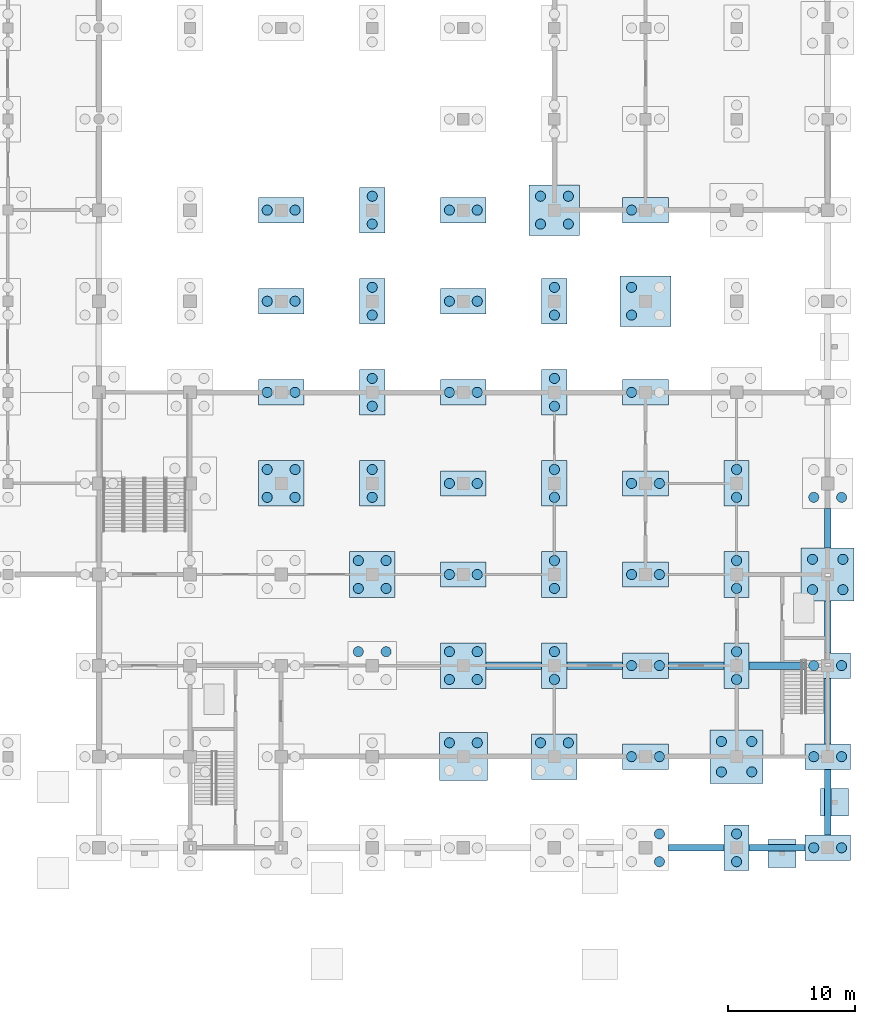
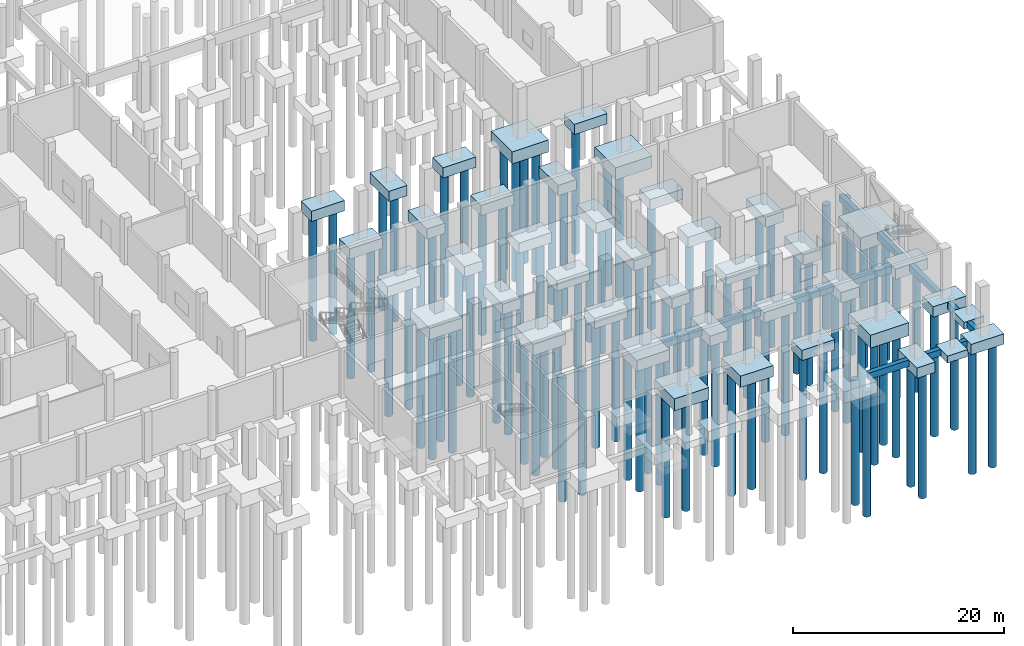
# One storey, part 7 of 35: 94 piles, 51 footings.
"""IFC4 building model written with IfcOpenShell, lengths in metres."""

import ifcopenshell
import ifcopenshell.guid

model = None  # the IFC model being written
_history = None  # IfcOwnerHistory: only IFC2X3 demands one
_inside = {}  # id of a spatial element -> (the spatial element, [elements in it])
_under = {}  # id of a project, library or spatial element -> (it, [spatial elements below it])
_declared = {}  # id of a project -> (the project, [libraries it declares])
_typed = {}  # id of a type object -> (the type object, [elements of that type])
_made_of = {}  # id of a material, layer set ... -> (it, [elements and type objects made of it])


def new_model(schema):
    """Start an empty IFC model of exactly this schema.

    Asked for "IFC4X3", IfcOpenShell would pick the latest addendum, in which some entities
    have other attributes; the version numbers below select the first issue.
    IFC2X3 requires an IfcOwnerHistory on every rooted entity: one is made here for all.
    """
    global model, _history
    if schema == "IFC4X3":
        model = ifcopenshell.file(schema_version=(4, 3, 0, 0))
    else:
        model = ifcopenshell.file(schema=schema)
    _inside.clear()
    _under.clear()
    _declared.clear()
    _typed.clear()
    _made_of.clear()
    _history = None
    if model.schema == "IFC2X3":
        org = make("IfcOrganization", Name="unknown")
        user = make(
            "IfcPersonAndOrganization",
            ThePerson=make("IfcPerson", FamilyName="unknown"),
            TheOrganization=org,
        )
        app = make(
            "IfcApplication",
            ApplicationDeveloper=org,
            Version="unknown",
            ApplicationFullName="unknown",
            ApplicationIdentifier="unknown",
        )
        _history = make(
            "IfcOwnerHistory",
            OwningUser=user,
            OwningApplication=app,
            ChangeAction="ADDED",
            CreationDate=0,
        )
    return model


def make(cls, **values):
    """One entity of the class cls with the attributes given. An attribute that is None is left unset."""
    return model.create_entity(
        cls, **{name: value for name, value in values.items() if value is not None}
    )


def rooted(cls, **values):
    """An entity with a GlobalId (a new one), such as an element, a storey or a relation."""
    return make(cls, GlobalId=ifcopenshell.guid.new(), OwnerHistory=_history, **values)


def si_unit(unit_type, name, prefix=None):
    """IfcSIUnit, for example si_unit("LENGTHUNIT", "METRE", prefix="MILLI")."""
    return make("IfcSIUnit", UnitType=unit_type, Prefix=prefix, Name=name)


def assignment(units):
    """IfcUnitAssignment: the units of a project."""
    return None if units is None else make("IfcUnitAssignment", Units=units)


def point(xyz):
    """IfcCartesianPoint."""
    return None if xyz is None else make("IfcCartesianPoint", Coordinates=xyz)


def direction(xyz):
    """IfcDirection."""
    return None if xyz is None else make("IfcDirection", DirectionRatios=xyz)


def frame(location, z_axis=None, x_axis=None):
    """IfcAxis2Placement3D, a coordinate frame: its origin and axes. An axis left out is left unset."""
    return make(
        "IfcAxis2Placement3D",
        Location=point(location),
        Axis=direction(z_axis),
        RefDirection=direction(x_axis),
    )


def frame_2d(location, x_axis=None):
    """IfcAxis2Placement2D, a coordinate frame in the plane: its origin and x axis."""
    return make(
        "IfcAxis2Placement2D", Location=point(location), RefDirection=direction(x_axis)
    )


def origin():
    """The frame at (0, 0, 0) with its axes left unset."""
    return frame((0.0, 0.0, 0.0))


def origin_2d():
    """The frame at (0, 0) in the plane with its x axis left unset."""
    return frame_2d((0.0, 0.0))


def place(relative_to, where):
    """IfcLocalPlacement: puts the frame where relative to a parent placement (None: the world)."""
    return make(
        "IfcLocalPlacement", PlacementRelTo=relative_to, RelativePlacement=where
    )


def context(
    kind, dimensions, precision=None, world=None, true_north=None, identifier=None
):
    """IfcGeometricRepresentationContext, for example the 3D "Model" context."""
    return make(
        "IfcGeometricRepresentationContext",
        ContextIdentifier=identifier,
        ContextType=kind,
        CoordinateSpaceDimension=dimensions,
        Precision=precision,
        WorldCoordinateSystem=world,
        TrueNorth=true_north,
    )


def subcontext(parent, identifier, kind, view, scale=None):
    """IfcGeometricRepresentationSubContext, for example "Body" below "Model"."""
    return make(
        "IfcGeometricRepresentationSubContext",
        ContextIdentifier=identifier,
        ContextType=kind,
        ParentContext=parent,
        TargetScale=scale,
        TargetView=view,
    )


def project(units=None, contexts=None):
    """IfcProject with its units and contexts."""
    return rooted(
        "IfcProject",
        Name="project",
        RepresentationContexts=contexts,
        UnitsInContext=assignment(units),
    )


def spatial(cls, under=None, at=None, **own):
    """A site, building, storey or space (cls), placed at a placement, below another one or the project."""
    s = rooted(cls, ObjectPlacement=at, **own)
    if under is not None:
        _under.setdefault(under.id(), (under, []))[1].append(s)
    return s


def polyline(points):
    """IfcPolyline through the points."""
    return make("IfcPolyline", Points=[point(p) for p in points])


def profile(cls, at=None, kind="AREA", **sizes):
    """A parametric profile (cls). Its sizes go by their IFC names, for example OverallWidth=200.0."""
    return make(cls, ProfileType=kind, Position=at, **sizes)


def rectangle(**sizes):
    """IfcRectangleProfileDef."""
    return profile("IfcRectangleProfileDef", **sizes)


def circle(**sizes):
    """IfcCircleProfileDef."""
    return profile("IfcCircleProfileDef", **sizes)


def outline(outer, holes=None, kind="AREA"):
    """IfcArbitraryClosedProfileDef: a profile drawn as a closed curve; with holes, ...WithVoids."""
    if holes is None:
        return make("IfcArbitraryClosedProfileDef", ProfileType=kind, OuterCurve=outer)
    return make(
        "IfcArbitraryProfileDefWithVoids",
        ProfileType=kind,
        OuterCurve=outer,
        InnerCurves=holes,
    )


def extrude(swept, where, along, depth):
    """IfcExtrudedAreaSolid: the profile swept, set in the frame where, extruded along a direction by depth."""
    return make(
        "IfcExtrudedAreaSolid",
        SweptArea=swept,
        Position=where,
        ExtrudedDirection=direction(along),
        Depth=depth,
    )


def shape(context_of_items, identifier, shape_type, items):
    """IfcShapeRepresentation: the items that make up one representation, for example the "Body"."""
    return make(
        "IfcShapeRepresentation",
        ContextOfItems=context_of_items,
        RepresentationIdentifier=identifier,
        RepresentationType=shape_type,
        Items=items,
    )


def material(Name=None, Category=None):
    """IfcMaterial."""
    return make("IfcMaterial", Name=Name, Category=Category)


def material_profile(
    of_material, cross_section, Name=None, Category=None, Priority=None
):
    """IfcMaterialProfile: a cross section and its material."""
    return make(
        "IfcMaterialProfile",
        Name=Name,
        Material=of_material,
        Profile=cross_section,
        Priority=Priority,
        Category=Category,
    )


def profile_set(profiles, Name=None, composite=None):
    """IfcMaterialProfileSet."""
    return make(
        "IfcMaterialProfileSet",
        Name=Name,
        MaterialProfiles=profiles,
        CompositeProfile=composite,
    )


def made_of(thing, what):
    """Note that an element or type object is made of a material, layer set ...; save() writes the relation."""
    if what is not None:
        _made_of.setdefault(what.id(), (what, []))[1].append(thing)
    return thing


def type_object(cls, material=None, **own):
    """A type object (cls), such as IfcWallType, which elements share."""
    return made_of(rooted(cls, **own), material)


def element(
    cls,
    number,
    at=None,
    inside=None,
    cuts=None,
    type_object=None,
    material=None,
    context=None,
    identifier="Body",
    shape_type=None,
    held_by="IfcProductDefinitionShape",
    body=None,
    shapes=None,
    **own,
):
    """One element of the class cls, such as IfcWall. Its Tag is "e" and its number.

    at: its placement. inside: the storey or other place that contains it. cuts: it is an
    opening in that element (IfcRelVoidsElement). A single representation is given by context,
    identifier, shape_type and body (its items); several are given by shapes. held_by: the class
    of the entity that holds the representations. save() writes the other relations.
    """
    e = rooted(cls, Tag="e%d" % number, ObjectPlacement=at, **own)
    if body is not None:
        shapes = [shape(context, identifier, shape_type, body)]
    if shapes is not None:
        e.Representation = make(held_by, Representations=shapes)
    if inside is not None:
        _inside.setdefault(inside.id(), (inside, []))[1].append(e)
    if cuts is not None:
        rooted(
            "IfcRelVoidsElement", RelatingBuildingElement=cuts, RelatedOpeningElement=e
        )
    if type_object is not None:
        _typed.setdefault(type_object.id(), (type_object, []))[1].append(e)
    return made_of(e, material)


def aggregate(whole, parts):
    """IfcRelAggregates: a whole, such as a stair, and the parts it consists of."""
    return rooted("IfcRelAggregates", RelatingObject=whole, RelatedObjects=parts)


def save(model, path):
    """Write the relations noted so far, then the file.

    IfcRelAggregates (storeys below a building ...), IfcRelContainedInSpatialStructure (elements
    in a storey), IfcRelDefinesByType, IfcRelAssociatesMaterial and IfcRelDeclares: one each for
    every whole, place, type object, material and project.
    """
    for whole, parts in _under.values():
        aggregate(whole, parts)
    for where, things in _inside.values():
        rooted(
            "IfcRelContainedInSpatialStructure",
            RelatedElements=things,
            RelatingStructure=where,
        )
    for kind, things in _typed.values():
        rooted("IfcRelDefinesByType", RelatedObjects=things, RelatingType=kind)
    for what, things in _made_of.values():
        rooted("IfcRelAssociatesMaterial", RelatedObjects=things, RelatingMaterial=what)
    for by, libraries in _declared.values():
        rooted("IfcRelDeclares", RelatingContext=by, RelatedDefinitions=libraries)
    model.write(path)


model = new_model("IFC4")

# Units and contexts
model_context = context("Model", 3, precision=1e-05, world=origin(), true_north=direction((0.0, 1.0)))
body_context = subcontext(model_context, "Body", "Model", "MODEL_VIEW")
ifc_project = project(units=[si_unit("LENGTHUNIT", "METRE"), si_unit("AREAUNIT", "SQUARE_METRE"), si_unit("VOLUMEUNIT", "CUBIC_METRE"), si_unit("PLANEANGLEUNIT", "RADIAN"), si_unit("MASSUNIT", "GRAM", prefix="KILO")], contexts=[model_context])

# Site, building, storey
site_placement = place(None, origin())
site = spatial("IfcSite", under=ifc_project, at=site_placement, CompositionType="ELEMENT")
building_placement = place(site_placement, origin())
building = spatial("IfcBuilding", under=site, at=building_placement, Name="Vesperath Aquatics Centre", CompositionType="ELEMENT")
storey_placement = place(building_placement, frame((0.0, 0.0, -5.39990234375)))
storey = spatial("IfcBuildingStorey", under=building, at=storey_placement, Name="B1", CompositionType="ELEMENT", Elevation=-5.39990234375)

# Footings
ifc_material_1 = material(Name="Concrete C40", Category="concrete")
footing_type_1 = type_object("IfcFootingType", Name="FT-GB02", PredefinedType="FOOTING_BEAM", material=ifc_material_1)
footing_1_placement = place(storey_placement, frame((0.0, 0.0, -1.2001953125)))
element("IfcFooting", 1, at=footing_1_placement, inside=storey, type_object=footing_type_1, Name="Foundation Ground Beam GB02 A 23-24", PredefinedType="FOOTING_BEAM", context=body_context, shape_type="SweptSolid", body=[
    extrude(outline(polyline([(160.199951171875, -0.25), (164.60009765625, -0.25), (164.60009765625, 0.25), (160.199951171875, 0.25), (160.199951171875, -0.25)])), origin(), (0.0, 0.0, 1.0), 0.75),
])
footing_2_placement = place(storey_placement, frame((0.0, 0.0, -1.2001953125)))
element("IfcFooting", 2, at=footing_2_placement, inside=storey, type_object=footing_type_1, Name="Foundation Ground Beam GB02 A 24-25", PredefinedType="FOOTING_BEAM", context=body_context, shape_type="SweptSolid", body=[
    extrude(outline(polyline([(166.60009765625, -0.25), (171.0, -0.25), (171.0, 0.25), (166.60009765625, 0.25), (166.60009765625, -0.25)])), origin(), (0.0, 0.0, 1.0), 0.75),
])
footing_3_placement = place(storey_placement, frame((0.0, 0.0, -1.2001953125)))
element("IfcFooting", 3, at=footing_3_placement, inside=storey, type_object=footing_type_1, Name="Foundation Ground Beam GB02 25 A-B", PredefinedType="FOOTING_BEAM", context=body_context, shape_type="SweptSolid", body=[
    extrude(outline(polyline([(172.550048828125, 1.0), (173.050048828125, 1.0), (173.050048828125, 6.199951171875), (172.550048828125, 6.199951171875), (172.550048828125, 1.0)])), origin(), (0.0, 0.0, 1.0), 0.75),
])
footing_4_placement = place(storey_placement, frame((0.0, 0.0, -1.2001953125)))
element("IfcFooting", 4, at=footing_4_placement, inside=storey, type_object=footing_type_1, Name="Foundation Ground Beam GB02 25 B-C", PredefinedType="FOOTING_BEAM", context=body_context, shape_type="SweptSolid", body=[
    extrude(outline(polyline([(172.550048828125, 8.199951171875), (173.050048828125, 8.199951171875), (173.050048828125, 13.39990234375), (172.550048828125, 13.39990234375), (172.550048828125, 8.199951171875)])), origin(), (0.0, 0.0, 1.0), 0.75),
])
footing_5_placement = place(storey_placement, frame((0.0, 0.0, -1.2001953125)))
element("IfcFooting", 5, at=footing_5_placement, inside=storey, type_object=footing_type_1, Name="Foundation Ground Beam GB02 25 C-D", PredefinedType="FOOTING_BEAM", context=body_context, shape_type="SweptSolid", body=[
    extrude(outline(polyline([(172.550048828125, 15.39990234375), (173.050048828125, 15.39990234375), (173.050048828125, 19.5), (172.550048828125, 19.5), (172.550048828125, 15.39990234375)])), origin(), (0.0, 0.0, 1.0), 0.75),
])
footing_6_placement = place(storey_placement, frame((0.0, 0.0, -1.2001953125)))
element("IfcFooting", 6, at=footing_6_placement, inside=storey, type_object=footing_type_1, Name="Foundation Ground Beam GB02 25 D-E", PredefinedType="FOOTING_BEAM", context=body_context, shape_type="SweptSolid", body=[
    extrude(outline(polyline([(172.550048828125, 23.699951171875), (173.050048828125, 23.699951171875), (173.050048828125, 26.800048828125), (172.550048828125, 26.800048828125), (172.550048828125, 23.699951171875)])), origin(), (0.0, 0.0, 1.0), 0.75),
])
footing_type_2 = type_object("IfcFootingType", Name="FT-GB03", PredefinedType="FOOTING_BEAM", material=ifc_material_1)
footing_7_placement = place(storey_placement, frame((0.0, 0.0, -1.300048828125)))
element("IfcFooting", 7, at=footing_7_placement, inside=storey, type_object=footing_type_2, Name="Foundation Ground Beam GB03 C 21-22", PredefinedType="FOOTING_BEAM", context=body_context, shape_type="SweptSolid", body=[
    extrude(outline(polyline([(145.800048828125, 14.10009765625), (150.199951171875, 14.10009765625), (150.199951171875, 14.699951171875), (145.800048828125, 14.699951171875), (145.800048828125, 14.10009765625)])), origin(), (0.0, 0.0, 1.0), 0.849853515625),
])
footing_8_placement = place(storey_placement, frame((0.0, 0.0, -1.300048828125)))
element("IfcFooting", 8, at=footing_8_placement, inside=storey, type_object=footing_type_2, Name="Foundation Ground Beam GB03 C 22-23", PredefinedType="FOOTING_BEAM", context=body_context, shape_type="SweptSolid", body=[
    extrude(outline(polyline([(152.199951171875, 14.10009765625), (156.60009765625, 14.10009765625), (156.60009765625, 14.699951171875), (152.199951171875, 14.699951171875), (152.199951171875, 14.10009765625)])), origin(), (0.0, 0.0, 1.0), 0.849853515625),
])
footing_9_placement = place(storey_placement, frame((0.0, 0.0, -1.300048828125)))
element("IfcFooting", 9, at=footing_9_placement, inside=storey, type_object=footing_type_2, Name="Foundation Ground Beam GB03 C 23-24", PredefinedType="FOOTING_BEAM", context=body_context, shape_type="SweptSolid", body=[
    extrude(outline(polyline([(160.199951171875, 14.10009765625), (164.60009765625, 14.10009765625), (164.60009765625, 14.699951171875), (160.199951171875, 14.699951171875), (160.199951171875, 14.10009765625)])), origin(), (0.0, 0.0, 1.0), 0.849853515625),
])
footing_10_placement = place(storey_placement, frame((0.0, 0.0, -1.300048828125)))
element("IfcFooting", 10, at=footing_10_placement, inside=storey, type_object=footing_type_2, Name="Foundation Ground Beam GB03 C 24-25", PredefinedType="FOOTING_BEAM", context=body_context, shape_type="SweptSolid", body=[
    extrude(outline(polyline([(166.60009765625, 14.10009765625), (171.0, 14.10009765625), (171.0, 14.699951171875), (166.60009765625, 14.699951171875), (166.60009765625, 14.10009765625)])), origin(), (0.0, 0.0, 1.0), 0.849853515625),
])
footing_type_3 = type_object("IfcFootingType", Name="FT-PC01", PredefinedType="PILE_CAP", material=ifc_material_1)
for number, where, z_axis, x_axis, name in (
    (11, (129.60009765625, 36.0, -1.64990234375), (0.0, 0.0, 1.0), (1.0, 0.0, 0.0), "Pile Cap PC01 at 19/F"),
    (12, (129.60009765625, 43.199951171875, -1.64990234375), (0.0, 0.0, 1.0), (1.0, 0.0, 0.0), "Pile Cap PC01 at 19/G"),
    (13, (129.60009765625, 50.39990234375, -1.64990234375), (0.0, 0.0, 1.0), (1.0, 0.0, 0.0), "Pile Cap PC01 at 19/H"),
    (14, (144.0, 21.60009765625, -1.64990234375), (0.0, 0.0, 1.0), (1.0, 0.0, 0.0), "Pile Cap PC01 at 21/D"),
    (15, (144.0, 28.800048828125, -1.64990234375), (0.0, 0.0, 1.0), (1.0, 0.0, 0.0), "Pile Cap PC01 at 21/E"),
    (16, (144.0, 36.0, -1.64990234375), (0.0, 0.0, 1.0), (1.0, 0.0, 0.0), "Pile Cap PC01 at 21/F"),
    (17, (144.0, 43.199951171875, -1.64990234375), (0.0, 0.0, 1.0), (1.0, 0.0, 0.0), "Pile Cap PC01 at 21/G"),
    (18, (144.0, 50.39990234375, -1.64990234375), (0.0, 0.0, 1.0), (1.0, 0.0, 0.0), "Pile Cap PC01 at 21/H"),
    (19, (158.39990234375, 7.199951171875, -1.64990234375), (0.0, 0.0, 1.0), (1.0, 0.0, 0.0), "Pile Cap PC01 at 23/B"),
    (20, (158.39990234375, 14.39990234375, -1.64990234375), (0.0, 0.0, 1.0), (1.0, 0.0, 0.0), "Pile Cap PC01 at 23/C"),
    (21, (158.39990234375, 21.60009765625, -1.64990234375), (0.0, 0.0, 1.0), (1.0, 0.0, 0.0), "Pile Cap PC01 at 23/D"),
    (22, (158.39990234375, 28.800048828125, -1.64990234375), (0.0, 0.0, 1.0), (1.0, 0.0, 0.0), "Pile Cap PC01 at 23/E"),
    (23, (158.39990234375, 36.0, -1.64990234375), (0.0, 0.0, 1.0), (1.0, 0.0, 0.0), "Pile Cap PC01 at 23/F"),
    (24, (158.39990234375, 50.39990234375, -1.64990234375), (0.0, 0.0, 1.0), (1.0, 0.0, 0.0), "Pile Cap PC01 at 23/H"),
    (25, (172.800048828125, 0.0, -1.64990234375), (0.0, 0.0, 1.0), (1.0, 0.0, 0.0), "Pile Cap PC01 at 25/A"),
    (26, (172.800048828125, 7.199951171875, -1.64990234375), (0.0, 0.0, 1.0), (1.0, 0.0, 0.0), "Pile Cap PC01 at 25/B"),
    (27, (172.800048828125, 14.39990234375, -1.64990234375), (0.0, 0.0, 1.0), (1.0, 0.0, 0.0), "Pile Cap PC01 at 25/C"),
):
    element("IfcFooting", number, at=place(storey_placement, frame(where, z_axis=z_axis, x_axis=x_axis)), inside=storey, type_object=footing_type_3, Name=name, PredefinedType="PILE_CAP", context=body_context, shape_type="SweptSolid", body=[
        extrude(rectangle(XDim=3.60009765625, YDim=2.0, at=origin_2d()), origin(), (0.0, 0.0, 1.0), 1.199951171875),
    ])
footing_type_4 = type_object("IfcFootingType", Name="FT-PC02", PredefinedType="PILE_CAP", material=ifc_material_1)
for number, where, z_axis, x_axis, name in (
    (28, (136.800048828125, 28.800048828125, -1.64990234375), (0.0, 0.0, 1.0), (1.0, 0.0, 0.0), "Pile Cap PC02 at 20/E"),
    (29, (136.800048828125, 36.0, -1.64990234375), (0.0, 0.0, 1.0), (1.0, 0.0, 0.0), "Pile Cap PC02 at 20/F"),
    (30, (136.800048828125, 43.199951171875, -1.64990234375), (0.0, 0.0, 1.0), (1.0, 0.0, 0.0), "Pile Cap PC02 at 20/G"),
    (31, (136.800048828125, 50.39990234375, -1.64990234375), (0.0, 0.0, 1.0), (1.0, 0.0, 0.0), "Pile Cap PC02 at 20/H"),
    (32, (151.199951171875, 14.39990234375, -1.64990234375), (0.0, 0.0, 1.0), (1.0, 0.0, 0.0), "Pile Cap PC02 at 22/C"),
    (33, (151.199951171875, 21.60009765625, -1.64990234375), (0.0, 0.0, 1.0), (1.0, 0.0, 0.0), "Pile Cap PC02 at 22/D"),
    (34, (151.199951171875, 28.800048828125, -1.64990234375), (0.0, 0.0, 1.0), (1.0, 0.0, 0.0), "Pile Cap PC02 at 22/E"),
    (35, (151.199951171875, 36.0, -1.64990234375), (0.0, 0.0, 1.0), (1.0, 0.0, 0.0), "Pile Cap PC02 at 22/F"),
    (36, (151.199951171875, 43.199951171875, -1.64990234375), (0.0, 0.0, 1.0), (1.0, 0.0, 0.0), "Pile Cap PC02 at 22/G"),
    (37, (165.60009765625, 0.0, -1.64990234375), (0.0, 0.0, 1.0), (1.0, 0.0, 0.0), "Pile Cap PC02 at 24/A"),
    (38, (165.60009765625, 14.39990234375, -1.64990234375), (0.0, 0.0, 1.0), (1.0, 0.0, 0.0), "Pile Cap PC02 at 24/C"),
    (39, (165.60009765625, 21.60009765625, -1.64990234375), (0.0, 0.0, 1.0), (1.0, 0.0, 0.0), "Pile Cap PC02 at 24/D"),
    (40, (165.60009765625, 28.800048828125, -1.64990234375), (0.0, 0.0, 1.0), (1.0, 0.0, 0.0), "Pile Cap PC02 at 24/E"),
):
    element("IfcFooting", number, at=place(storey_placement, frame(where, z_axis=z_axis, x_axis=x_axis)), inside=storey, type_object=footing_type_4, Name=name, PredefinedType="PILE_CAP", context=body_context, shape_type="SweptSolid", body=[
        extrude(rectangle(XDim=2.0, YDim=3.60009765625, at=origin_2d()), origin(), (0.0, 0.0, 1.0), 1.199951171875),
    ])
footing_type_5 = type_object("IfcFootingType", Name="FT-PC03", PredefinedType="PILE_CAP", material=ifc_material_1)
for number, where, z_axis, x_axis, name in (
    (41, (129.60009765625, 28.800048828125, -1.75), (0.0, 0.0, 1.0), (1.0, 0.0, 0.0), "Pile Cap PC03 at 19/E"),
    (42, (136.800048828125, 21.60009765625, -1.75), (0.0, 0.0, 1.0), (1.0, 0.0, 0.0), "Pile Cap PC03 at 20/D"),
    (43, (144.0, 14.39990234375, -1.75), (0.0, 0.0, 1.0), (1.0, 0.0, 0.0), "Pile Cap PC03 at 21/C"),
    (44, (151.199951171875, 7.199951171875, -1.75), (0.0, 0.0, 1.0), (1.0, 0.0, 0.0), "Pile Cap PC03 at 22/B"),
):
    element("IfcFooting", number, at=place(storey_placement, frame(where, z_axis=z_axis, x_axis=x_axis)), inside=storey, type_object=footing_type_5, Name=name, PredefinedType="PILE_CAP", context=body_context, shape_type="SweptSolid", body=[
        extrude(rectangle(XDim=3.60009765625, YDim=3.60009765625, at=origin_2d()), origin(), (0.0, 0.0, 1.0), 1.300048828125),
    ])
footing_type_6 = type_object("IfcFootingType", Name="FT-PC04", PredefinedType="PILE_CAP", material=ifc_material_1)
footing_11_placement = place(storey_placement, frame((144.0, 7.199951171875, -1.85009765625), z_axis=(0.0, 0.0, 1.0), x_axis=(1.0, 0.0, 0.0)))
element("IfcFooting", 45, at=footing_11_placement, inside=storey, type_object=footing_type_6, Name="Pile Cap PC04 at 21/B", PredefinedType="PILE_CAP", context=body_context, shape_type="SweptSolid", body=[
    extrude(rectangle(XDim=3.800048828125, YDim=3.800048828125, at=origin_2d()), origin(), (0.0, 0.0, 1.0), 1.39990234375),
])
footing_type_7 = type_object("IfcFootingType", Name="FT-PC05", PredefinedType="PILE_CAP", material=ifc_material_1)
for number, where, z_axis, x_axis, name in (
    (46, (151.199951171875, 50.39990234375, -1.85009765625), (0.0, 0.0, 1.0), (1.0, 0.0, 0.0), "Pile Cap PC05 at 22/H"),
    (47, (158.39990234375, 43.199951171875, -1.85009765625), (0.0, 0.0, 1.0), (1.0, 0.0, 0.0), "Pile Cap PC05 at 23/G"),
):
    element("IfcFooting", number, at=place(storey_placement, frame(where, z_axis=z_axis, x_axis=x_axis)), inside=storey, type_object=footing_type_7, Name=name, PredefinedType="PILE_CAP", context=body_context, shape_type="SweptSolid", body=[
        extrude(rectangle(XDim=4.0, YDim=4.0, at=origin_2d()), origin(), (0.0, 0.0, 1.0), 1.39990234375),
    ])
footing_type_8 = type_object("IfcFootingType", Name="FT-PC06", PredefinedType="PILE_CAP", material=ifc_material_1)
for number, where, z_axis, x_axis, name in (
    (48, (165.60009765625, 7.199951171875, -1.9501953125), (0.0, 0.0, 1.0), (1.0, 0.0, 0.0), "Pile Cap PC06 at 24/B"),
    (49, (172.800048828125, 21.60009765625, -1.9501953125), (0.0, 0.0, 1.0), (1.0, 0.0, 0.0), "Pile Cap PC06 at 25/D"),
):
    element("IfcFooting", number, at=place(storey_placement, frame(where, z_axis=z_axis, x_axis=x_axis)), inside=storey, type_object=footing_type_8, Name=name, PredefinedType="PILE_CAP", context=body_context, shape_type="SweptSolid", body=[
        extrude(rectangle(XDim=4.199951171875, YDim=4.199951171875, at=origin_2d()), origin(), (0.0, 0.0, 1.0), 1.5),
    ])
footing_type_9 = type_object("IfcFootingType", Name="FT-PF01", PredefinedType="PAD_FOOTING", material=ifc_material_1)
for number, where, z_axis, x_axis, name in (
    (50, (169.199951171875, -0.449951171875, -1.25), (0.0, 0.0, 1.0), (1.0, 0.0, 0.0), "Plinth Pilaster Pad Footing PF01-04"),
    (51, (173.35009765625, 3.60009765625, -1.25), (0.0, 0.0, 1.0), (1.0, 0.0, 0.0), "Plinth Pilaster Pad Footing PF01-05"),
):
    element("IfcFooting", number, at=place(storey_placement, frame(where, z_axis=z_axis, x_axis=x_axis)), inside=storey, type_object=footing_type_9, Name=name, PredefinedType="PAD_FOOTING", context=body_context, shape_type="SweptSolid", body=[
        extrude(rectangle(XDim=2.199951171875, YDim=2.199951171875, at=origin_2d()), origin(), (0.0, 0.0, 1.0), 0.800048828125),
    ])

# Piles
ifc_material_2 = material(Name="Concrete C35", Category="concrete")
ifc_material_profile = material_profile(ifc_material_2, circle(Radius=0.39990234375, at=origin_2d()), Name="PILE D800")
ifc_profile_set = profile_set([ifc_material_profile], Name="Concrete C35")
pile_type = type_object("IfcPileType", Name="PL-BP01", PredefinedType="BORED", material=ifc_profile_set)
for number, where, z_axis, x_axis, name in (
    (52, (128.5, 27.699951171875, -1.60009765625), (0.0, 0.0, -1.0), (1.0, 0.0, 0.0), "Bored Pile BP01 CAP_18_04-1"),
    (53, (130.699951171875, 27.699951171875, -1.60009765625), (0.0, 0.0, -1.0), (1.0, 0.0, 0.0), "Bored Pile BP01 CAP_18_04-2"),
    (54, (128.5, 29.89990234375, -1.60009765625), (0.0, 0.0, -1.0), (1.0, 0.0, 0.0), "Bored Pile BP01 CAP_18_04-3"),
    (55, (130.699951171875, 29.89990234375, -1.60009765625), (0.0, 0.0, -1.0), (1.0, 0.0, 0.0), "Bored Pile BP01 CAP_18_04-4"),
):
    element("IfcPile", number, at=place(storey_placement, frame(where, z_axis=z_axis, x_axis=x_axis)), inside=storey, type_object=pile_type, Name=name, PredefinedType="BORED", context=body_context, shape_type="SweptSolid", body=[
        extrude(circle(Radius=0.39990234375, at=origin_2d()), origin(), (0.0, 0.0, 1.0), 14.5),
    ])
for number, where, z_axis, x_axis, name in (
    (56, (128.5, 36.0, -1.5), (0.0, 0.0, -1.0), (1.0, 0.0, 0.0), "Bored Pile BP01 CAP_18_05-1"),
    (57, (130.699951171875, 36.0, -1.5), (0.0, 0.0, -1.0), (1.0, 0.0, 0.0), "Bored Pile BP01 CAP_18_05-2"),
    (58, (128.5, 43.199951171875, -1.5), (0.0, 0.0, -1.0), (1.0, 0.0, 0.0), "Bored Pile BP01 CAP_18_06-1"),
    (59, (130.699951171875, 43.199951171875, -1.5), (0.0, 0.0, -1.0), (1.0, 0.0, 0.0), "Bored Pile BP01 CAP_18_06-2"),
    (60, (128.5, 50.39990234375, -1.5), (0.0, 0.0, -1.0), (1.0, 0.0, 0.0), "Bored Pile BP01 CAP_18_07-1"),
    (61, (130.699951171875, 50.39990234375, -1.5), (0.0, 0.0, -1.0), (1.0, 0.0, 0.0), "Bored Pile BP01 CAP_18_07-2"),
):
    element("IfcPile", number, at=place(storey_placement, frame(where, z_axis=z_axis, x_axis=x_axis)), inside=storey, type_object=pile_type, Name=name, PredefinedType="BORED", context=body_context, shape_type="SweptSolid", body=[
        extrude(circle(Radius=0.39990234375, at=origin_2d()), origin(), (0.0, 0.0, 1.0), 14.60009765625),
    ])
for number, where, z_axis, x_axis, name in (
    (62, (135.699951171875, 15.5, -1.7001953125), (0.0, 0.0, -1.0), (1.0, 0.0, 0.0), "Bored Pile BP01 CAP_19_02-3"),
    (63, (137.89990234375, 15.5, -1.7001953125), (0.0, 0.0, -1.0), (1.0, 0.0, 0.0), "Bored Pile BP01 CAP_19_02-4"),
):
    element("IfcPile", number, at=place(storey_placement, frame(where, z_axis=z_axis, x_axis=x_axis)), inside=storey, type_object=pile_type, Name=name, PredefinedType="BORED", context=body_context, shape_type="SweptSolid", body=[
        extrude(circle(Radius=0.39990234375, at=origin_2d()), origin(), (0.0, 0.0, 1.0), 14.39990234375),
    ])
for number, where, z_axis, x_axis, name in (
    (64, (135.699951171875, 20.5, -1.60009765625), (0.0, 0.0, -1.0), (1.0, 0.0, 0.0), "Bored Pile BP01 CAP_19_03-1"),
    (65, (137.89990234375, 20.5, -1.60009765625), (0.0, 0.0, -1.0), (1.0, 0.0, 0.0), "Bored Pile BP01 CAP_19_03-2"),
    (66, (135.699951171875, 22.699951171875, -1.60009765625), (0.0, 0.0, -1.0), (1.0, 0.0, 0.0), "Bored Pile BP01 CAP_19_03-3"),
    (67, (137.89990234375, 22.699951171875, -1.60009765625), (0.0, 0.0, -1.0), (1.0, 0.0, 0.0), "Bored Pile BP01 CAP_19_03-4"),
):
    element("IfcPile", number, at=place(storey_placement, frame(where, z_axis=z_axis, x_axis=x_axis)), inside=storey, type_object=pile_type, Name=name, PredefinedType="BORED", context=body_context, shape_type="SweptSolid", body=[
        extrude(circle(Radius=0.39990234375, at=origin_2d()), origin(), (0.0, 0.0, 1.0), 14.5),
    ])
for number, where, z_axis, x_axis, name in (
    (68, (136.800048828125, 27.699951171875, -1.5), (0.0, 0.0, -1.0), (1.0, 0.0, 0.0), "Bored Pile BP01 CAP_19_04-1"),
    (69, (136.800048828125, 29.89990234375, -1.5), (0.0, 0.0, -1.0), (1.0, 0.0, 0.0), "Bored Pile BP01 CAP_19_04-2"),
    (70, (136.800048828125, 34.89990234375, -1.5), (0.0, 0.0, -1.0), (1.0, 0.0, 0.0), "Bored Pile BP01 CAP_19_05-1"),
    (71, (136.800048828125, 37.10009765625, -1.5), (0.0, 0.0, -1.0), (1.0, 0.0, 0.0), "Bored Pile BP01 CAP_19_05-2"),
    (72, (136.800048828125, 42.10009765625, -1.5), (0.0, 0.0, -1.0), (1.0, 0.0, 0.0), "Bored Pile BP01 CAP_19_06-1"),
    (73, (136.800048828125, 44.300048828125, -1.5), (0.0, 0.0, -1.0), (1.0, 0.0, 0.0), "Bored Pile BP01 CAP_19_06-2"),
    (74, (136.800048828125, 49.300048828125, -1.5), (0.0, 0.0, -1.0), (1.0, 0.0, 0.0), "Bored Pile BP01 CAP_19_07-1"),
    (75, (136.800048828125, 51.5, -1.5), (0.0, 0.0, -1.0), (1.0, 0.0, 0.0), "Bored Pile BP01 CAP_19_07-2"),
):
    element("IfcPile", number, at=place(storey_placement, frame(where, z_axis=z_axis, x_axis=x_axis)), inside=storey, type_object=pile_type, Name=name, PredefinedType="BORED", context=body_context, shape_type="SweptSolid", body=[
        extrude(circle(Radius=0.39990234375, at=origin_2d()), origin(), (0.0, 0.0, 1.0), 14.60009765625),
    ])
for number, where, z_axis, x_axis, name in (
    (76, (142.89990234375, 8.300048828125, -1.7001953125), (0.0, 0.0, -1.0), (1.0, 0.0, 0.0), "Bored Pile BP01 CAP_20_01-3"),
    (77, (145.10009765625, 8.300048828125, -1.7001953125), (0.0, 0.0, -1.0), (1.0, 0.0, 0.0), "Bored Pile BP01 CAP_20_01-4"),
):
    element("IfcPile", number, at=place(storey_placement, frame(where, z_axis=z_axis, x_axis=x_axis)), inside=storey, type_object=pile_type, Name=name, PredefinedType="BORED", context=body_context, shape_type="SweptSolid", body=[
        extrude(circle(Radius=0.39990234375, at=origin_2d()), origin(), (0.0, 0.0, 1.0), 14.39990234375),
    ])
for number, where, z_axis, x_axis, name in (
    (78, (142.89990234375, 13.300048828125, -1.60009765625), (0.0, 0.0, -1.0), (1.0, 0.0, 0.0), "Bored Pile BP01 CAP_20_02-1"),
    (79, (145.10009765625, 13.300048828125, -1.60009765625), (0.0, 0.0, -1.0), (1.0, 0.0, 0.0), "Bored Pile BP01 CAP_20_02-2"),
    (80, (142.89990234375, 15.5, -1.60009765625), (0.0, 0.0, -1.0), (1.0, 0.0, 0.0), "Bored Pile BP01 CAP_20_02-3"),
    (81, (145.10009765625, 15.5, -1.60009765625), (0.0, 0.0, -1.0), (1.0, 0.0, 0.0), "Bored Pile BP01 CAP_20_02-4"),
):
    element("IfcPile", number, at=place(storey_placement, frame(where, z_axis=z_axis, x_axis=x_axis)), inside=storey, type_object=pile_type, Name=name, PredefinedType="BORED", context=body_context, shape_type="SweptSolid", body=[
        extrude(circle(Radius=0.39990234375, at=origin_2d()), origin(), (0.0, 0.0, 1.0), 14.5),
    ])
for number, where, z_axis, x_axis, name in (
    (82, (142.89990234375, 21.60009765625, -1.5), (0.0, 0.0, -1.0), (1.0, 0.0, 0.0), "Bored Pile BP01 CAP_20_03-1"),
    (83, (145.10009765625, 21.60009765625, -1.5), (0.0, 0.0, -1.0), (1.0, 0.0, 0.0), "Bored Pile BP01 CAP_20_03-2"),
    (84, (142.89990234375, 28.800048828125, -1.5), (0.0, 0.0, -1.0), (1.0, 0.0, 0.0), "Bored Pile BP01 CAP_20_04-1"),
    (85, (145.10009765625, 28.800048828125, -1.5), (0.0, 0.0, -1.0), (1.0, 0.0, 0.0), "Bored Pile BP01 CAP_20_04-2"),
    (86, (142.89990234375, 36.0, -1.5), (0.0, 0.0, -1.0), (1.0, 0.0, 0.0), "Bored Pile BP01 CAP_20_05-1"),
    (87, (145.10009765625, 36.0, -1.5), (0.0, 0.0, -1.0), (1.0, 0.0, 0.0), "Bored Pile BP01 CAP_20_05-2"),
    (88, (142.89990234375, 43.199951171875, -1.5), (0.0, 0.0, -1.0), (1.0, 0.0, 0.0), "Bored Pile BP01 CAP_20_06-1"),
    (89, (145.10009765625, 43.199951171875, -1.5), (0.0, 0.0, -1.0), (1.0, 0.0, 0.0), "Bored Pile BP01 CAP_20_06-2"),
    (90, (142.89990234375, 50.39990234375, -1.5), (0.0, 0.0, -1.0), (1.0, 0.0, 0.0), "Bored Pile BP01 CAP_20_07-1"),
    (91, (145.10009765625, 50.39990234375, -1.5), (0.0, 0.0, -1.0), (1.0, 0.0, 0.0), "Bored Pile BP01 CAP_20_07-2"),
):
    element("IfcPile", number, at=place(storey_placement, frame(where, z_axis=z_axis, x_axis=x_axis)), inside=storey, type_object=pile_type, Name=name, PredefinedType="BORED", context=body_context, shape_type="SweptSolid", body=[
        extrude(circle(Radius=0.39990234375, at=origin_2d()), origin(), (0.0, 0.0, 1.0), 14.60009765625),
    ])
for number, where, z_axis, x_axis, name in (
    (92, (150.10009765625, 8.300048828125, -1.60009765625), (0.0, 0.0, -1.0), (1.0, 0.0, 0.0), "Bored Pile BP01 CAP_21_01-3"),
    (93, (152.300048828125, 8.300048828125, -1.60009765625), (0.0, 0.0, -1.0), (1.0, 0.0, 0.0), "Bored Pile BP01 CAP_21_01-4"),
):
    element("IfcPile", number, at=place(storey_placement, frame(where, z_axis=z_axis, x_axis=x_axis)), inside=storey, type_object=pile_type, Name=name, PredefinedType="BORED", context=body_context, shape_type="SweptSolid", body=[
        extrude(circle(Radius=0.39990234375, at=origin_2d()), origin(), (0.0, 0.0, 1.0), 14.5),
    ])
for number, where, z_axis, x_axis, name in (
    (94, (151.199951171875, 13.300048828125, -1.5), (0.0, 0.0, -1.0), (1.0, 0.0, 0.0), "Bored Pile BP01 CAP_21_02-1"),
    (95, (151.199951171875, 15.5, -1.5), (0.0, 0.0, -1.0), (1.0, 0.0, 0.0), "Bored Pile BP01 CAP_21_02-2"),
    (96, (151.199951171875, 20.5, -1.5), (0.0, 0.0, -1.0), (1.0, 0.0, 0.0), "Bored Pile BP01 CAP_21_03-1"),
    (97, (151.199951171875, 22.699951171875, -1.5), (0.0, 0.0, -1.0), (1.0, 0.0, 0.0), "Bored Pile BP01 CAP_21_03-2"),
    (98, (151.199951171875, 27.699951171875, -1.5), (0.0, 0.0, -1.0), (1.0, 0.0, 0.0), "Bored Pile BP01 CAP_21_04-1"),
    (99, (151.199951171875, 29.89990234375, -1.5), (0.0, 0.0, -1.0), (1.0, 0.0, 0.0), "Bored Pile BP01 CAP_21_04-2"),
    (100, (151.199951171875, 34.89990234375, -1.5), (0.0, 0.0, -1.0), (1.0, 0.0, 0.0), "Bored Pile BP01 CAP_21_05-1"),
    (101, (151.199951171875, 37.10009765625, -1.5), (0.0, 0.0, -1.0), (1.0, 0.0, 0.0), "Bored Pile BP01 CAP_21_05-2"),
    (102, (151.199951171875, 42.10009765625, -1.5), (0.0, 0.0, -1.0), (1.0, 0.0, 0.0), "Bored Pile BP01 CAP_21_06-1"),
    (103, (151.199951171875, 44.300048828125, -1.5), (0.0, 0.0, -1.0), (1.0, 0.0, 0.0), "Bored Pile BP01 CAP_21_06-2"),
):
    element("IfcPile", number, at=place(storey_placement, frame(where, z_axis=z_axis, x_axis=x_axis)), inside=storey, type_object=pile_type, Name=name, PredefinedType="BORED", context=body_context, shape_type="SweptSolid", body=[
        extrude(circle(Radius=0.39990234375, at=origin_2d()), origin(), (0.0, 0.0, 1.0), 14.60009765625),
    ])
for number, where, z_axis, x_axis, name in (
    (104, (150.10009765625, 49.300048828125, -1.7001953125), (0.0, 0.0, -1.0), (1.0, 0.0, 0.0), "Bored Pile BP01 CAP_21_07-1"),
    (105, (152.300048828125, 49.300048828125, -1.7001953125), (0.0, 0.0, -1.0), (1.0, 0.0, 0.0), "Bored Pile BP01 CAP_21_07-2"),
    (106, (150.10009765625, 51.5, -1.7001953125), (0.0, 0.0, -1.0), (1.0, 0.0, 0.0), "Bored Pile BP01 CAP_21_07-3"),
    (107, (152.300048828125, 51.5, -1.7001953125), (0.0, 0.0, -1.0), (1.0, 0.0, 0.0), "Bored Pile BP01 CAP_21_07-4"),
):
    element("IfcPile", number, at=place(storey_placement, frame(where, z_axis=z_axis, x_axis=x_axis)), inside=storey, type_object=pile_type, Name=name, PredefinedType="BORED", context=body_context, shape_type="SweptSolid", body=[
        extrude(circle(Radius=0.39990234375, at=origin_2d()), origin(), (0.0, 0.0, 1.0), 14.39990234375),
    ])
for number, where, z_axis, x_axis, name in (
    (108, (159.5, -1.10009765625, -1.60009765625), (0.0, 0.0, -1.0), (1.0, 0.0, 0.0), "Bored Pile BP01 CAP_22_00-2"),
    (109, (159.5, 1.10009765625, -1.60009765625), (0.0, 0.0, -1.0), (1.0, 0.0, 0.0), "Bored Pile BP01 CAP_22_00-4"),
):
    element("IfcPile", number, at=place(storey_placement, frame(where, z_axis=z_axis, x_axis=x_axis)), inside=storey, type_object=pile_type, Name=name, PredefinedType="BORED", context=body_context, shape_type="SweptSolid", body=[
        extrude(circle(Radius=0.39990234375, at=origin_2d()), origin(), (0.0, 0.0, 1.0), 14.5),
    ])
for number, where, z_axis, x_axis, name in (
    (110, (157.300048828125, 7.199951171875, -1.5), (0.0, 0.0, -1.0), (1.0, 0.0, 0.0), "Bored Pile BP01 CAP_22_01-1"),
    (111, (159.5, 7.199951171875, -1.5), (0.0, 0.0, -1.0), (1.0, 0.0, 0.0), "Bored Pile BP01 CAP_22_01-2"),
    (112, (157.300048828125, 14.39990234375, -1.5), (0.0, 0.0, -1.0), (1.0, 0.0, 0.0), "Bored Pile BP01 CAP_22_02-1"),
    (113, (159.5, 14.39990234375, -1.5), (0.0, 0.0, -1.0), (1.0, 0.0, 0.0), "Bored Pile BP01 CAP_22_02-2"),
    (114, (157.300048828125, 21.60009765625, -1.5), (0.0, 0.0, -1.0), (1.0, 0.0, 0.0), "Bored Pile BP01 CAP_22_03-1"),
    (115, (159.5, 21.60009765625, -1.5), (0.0, 0.0, -1.0), (1.0, 0.0, 0.0), "Bored Pile BP01 CAP_22_03-2"),
    (116, (157.300048828125, 28.800048828125, -1.5), (0.0, 0.0, -1.0), (1.0, 0.0, 0.0), "Bored Pile BP01 CAP_22_04-1"),
    (117, (159.5, 28.800048828125, -1.5), (0.0, 0.0, -1.0), (1.0, 0.0, 0.0), "Bored Pile BP01 CAP_22_04-2"),
    (118, (157.300048828125, 36.0, -1.5), (0.0, 0.0, -1.0), (1.0, 0.0, 0.0), "Bored Pile BP01 CAP_22_05-1"),
):
    element("IfcPile", number, at=place(storey_placement, frame(where, z_axis=z_axis, x_axis=x_axis)), inside=storey, type_object=pile_type, Name=name, PredefinedType="BORED", context=body_context, shape_type="SweptSolid", body=[
        extrude(circle(Radius=0.39990234375, at=origin_2d()), origin(), (0.0, 0.0, 1.0), 14.60009765625),
    ])
for number, where, z_axis, x_axis, name in (
    (119, (157.300048828125, 42.10009765625, -1.7001953125), (0.0, 0.0, -1.0), (1.0, 0.0, 0.0), "Bored Pile BP01 CAP_22_06-1"),
    (120, (157.300048828125, 44.300048828125, -1.7001953125), (0.0, 0.0, -1.0), (1.0, 0.0, 0.0), "Bored Pile BP01 CAP_22_06-3"),
):
    element("IfcPile", number, at=place(storey_placement, frame(where, z_axis=z_axis, x_axis=x_axis)), inside=storey, type_object=pile_type, Name=name, PredefinedType="BORED", context=body_context, shape_type="SweptSolid", body=[
        extrude(circle(Radius=0.39990234375, at=origin_2d()), origin(), (0.0, 0.0, 1.0), 14.39990234375),
    ])
for number, where, z_axis, x_axis, name in (
    (121, (157.300048828125, 50.39990234375, -1.5), (0.0, 0.0, -1.0), (1.0, 0.0, 0.0), "Bored Pile BP01 CAP_22_07-1"),
    (122, (165.60009765625, -1.10009765625, -1.5), (0.0, 0.0, -1.0), (1.0, 0.0, 0.0), "Bored Pile BP01 CAP_23_00-1"),
    (123, (165.60009765625, 1.10009765625, -1.5), (0.0, 0.0, -1.0), (1.0, 0.0, 0.0), "Bored Pile BP01 CAP_23_00-2"),
):
    element("IfcPile", number, at=place(storey_placement, frame(where, z_axis=z_axis, x_axis=x_axis)), inside=storey, type_object=pile_type, Name=name, PredefinedType="BORED", context=body_context, shape_type="SweptSolid", body=[
        extrude(circle(Radius=0.39990234375, at=origin_2d()), origin(), (0.0, 0.0, 1.0), 14.60009765625),
    ])
for number, where, z_axis, x_axis, name in (
    (124, (164.39990234375, 6.0, -1.800048828125), (0.0, 0.0, -1.0), (1.0, 0.0, 0.0), "Bored Pile BP01 CAP_23_01-1"),
    (125, (166.800048828125, 6.0, -1.800048828125), (0.0, 0.0, -1.0), (1.0, 0.0, 0.0), "Bored Pile BP01 CAP_23_01-2"),
    (126, (164.39990234375, 8.39990234375, -1.800048828125), (0.0, 0.0, -1.0), (1.0, 0.0, 0.0), "Bored Pile BP01 CAP_23_01-3"),
    (127, (166.800048828125, 8.39990234375, -1.800048828125), (0.0, 0.0, -1.0), (1.0, 0.0, 0.0), "Bored Pile BP01 CAP_23_01-4"),
):
    element("IfcPile", number, at=place(storey_placement, frame(where, z_axis=z_axis, x_axis=x_axis)), inside=storey, type_object=pile_type, Name=name, PredefinedType="BORED", context=body_context, shape_type="SweptSolid", body=[
        extrude(circle(Radius=0.39990234375, at=origin_2d()), origin(), (0.0, 0.0, 1.0), 14.300048828125),
    ])
for number, where, z_axis, x_axis, name in (
    (128, (165.60009765625, 13.300048828125, -1.5), (0.0, 0.0, -1.0), (1.0, 0.0, 0.0), "Bored Pile BP01 CAP_23_02-1"),
    (129, (165.60009765625, 15.5, -1.5), (0.0, 0.0, -1.0), (1.0, 0.0, 0.0), "Bored Pile BP01 CAP_23_02-2"),
    (130, (165.60009765625, 20.5, -1.5), (0.0, 0.0, -1.0), (1.0, 0.0, 0.0), "Bored Pile BP01 CAP_23_03-1"),
    (131, (165.60009765625, 22.699951171875, -1.5), (0.0, 0.0, -1.0), (1.0, 0.0, 0.0), "Bored Pile BP01 CAP_23_03-2"),
    (132, (165.60009765625, 27.699951171875, -1.5), (0.0, 0.0, -1.0), (1.0, 0.0, 0.0), "Bored Pile BP01 CAP_23_04-1"),
    (133, (165.60009765625, 29.89990234375, -1.5), (0.0, 0.0, -1.0), (1.0, 0.0, 0.0), "Bored Pile BP01 CAP_23_04-2"),
    (134, (171.699951171875, 0.0, -1.5), (0.0, 0.0, -1.0), (1.0, 0.0, 0.0), "Bored Pile BP01 CAP_24_00-1"),
    (135, (173.89990234375, 0.0, -1.5), (0.0, 0.0, -1.0), (1.0, 0.0, 0.0), "Bored Pile BP01 CAP_24_00-2"),
    (136, (171.699951171875, 7.199951171875, -1.5), (0.0, 0.0, -1.0), (1.0, 0.0, 0.0), "Bored Pile BP01 CAP_24_01-1"),
    (137, (173.89990234375, 7.199951171875, -1.5), (0.0, 0.0, -1.0), (1.0, 0.0, 0.0), "Bored Pile BP01 CAP_24_01-2"),
    (138, (171.699951171875, 14.39990234375, -1.5), (0.0, 0.0, -1.0), (1.0, 0.0, 0.0), "Bored Pile BP01 CAP_24_02-1"),
    (139, (173.89990234375, 14.39990234375, -1.5), (0.0, 0.0, -1.0), (1.0, 0.0, 0.0), "Bored Pile BP01 CAP_24_02-2"),
):
    element("IfcPile", number, at=place(storey_placement, frame(where, z_axis=z_axis, x_axis=x_axis)), inside=storey, type_object=pile_type, Name=name, PredefinedType="BORED", context=body_context, shape_type="SweptSolid", body=[
        extrude(circle(Radius=0.39990234375, at=origin_2d()), origin(), (0.0, 0.0, 1.0), 14.60009765625),
    ])
for number, where, z_axis, x_axis, name in (
    (140, (171.60009765625, 20.39990234375, -1.800048828125), (0.0, 0.0, -1.0), (1.0, 0.0, 0.0), "Bored Pile BP01 CAP_24_03-1"),
    (141, (174.0, 20.39990234375, -1.800048828125), (0.0, 0.0, -1.0), (1.0, 0.0, 0.0), "Bored Pile BP01 CAP_24_03-2"),
    (142, (171.60009765625, 22.800048828125, -1.800048828125), (0.0, 0.0, -1.0), (1.0, 0.0, 0.0), "Bored Pile BP01 CAP_24_03-3"),
    (143, (174.0, 22.800048828125, -1.800048828125), (0.0, 0.0, -1.0), (1.0, 0.0, 0.0), "Bored Pile BP01 CAP_24_03-4"),
):
    element("IfcPile", number, at=place(storey_placement, frame(where, z_axis=z_axis, x_axis=x_axis)), inside=storey, type_object=pile_type, Name=name, PredefinedType="BORED", context=body_context, shape_type="SweptSolid", body=[
        extrude(circle(Radius=0.39990234375, at=origin_2d()), origin(), (0.0, 0.0, 1.0), 14.300048828125),
    ])
for number, where, z_axis, x_axis, name in (
    (144, (171.699951171875, 27.699951171875, -1.7001953125), (0.0, 0.0, -1.0), (1.0, 0.0, 0.0), "Bored Pile BP01 CAP_24_04-1"),
    (145, (173.89990234375, 27.699951171875, -1.7001953125), (0.0, 0.0, -1.0), (1.0, 0.0, 0.0), "Bored Pile BP01 CAP_24_04-2"),
):
    element("IfcPile", number, at=place(storey_placement, frame(where, z_axis=z_axis, x_axis=x_axis)), inside=storey, type_object=pile_type, Name=name, PredefinedType="BORED", context=body_context, shape_type="SweptSolid", body=[
        extrude(circle(Radius=0.39990234375, at=origin_2d()), origin(), (0.0, 0.0, 1.0), 14.39990234375),
    ])

save(model, "model.ifc")
